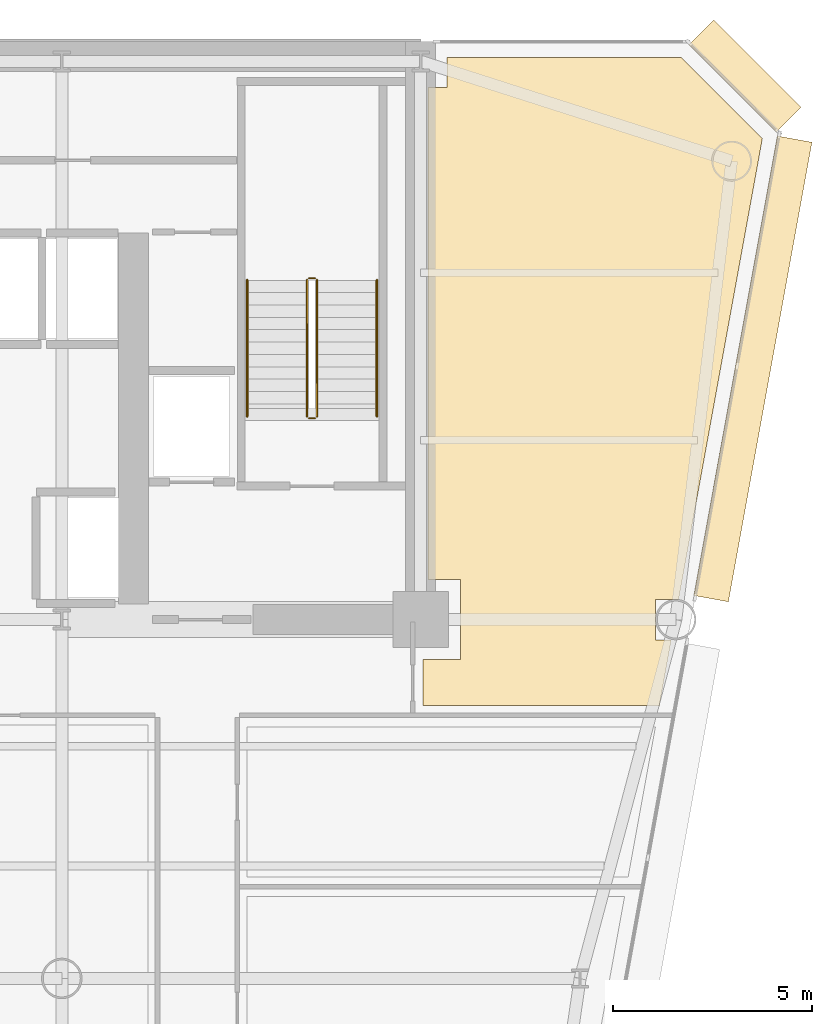
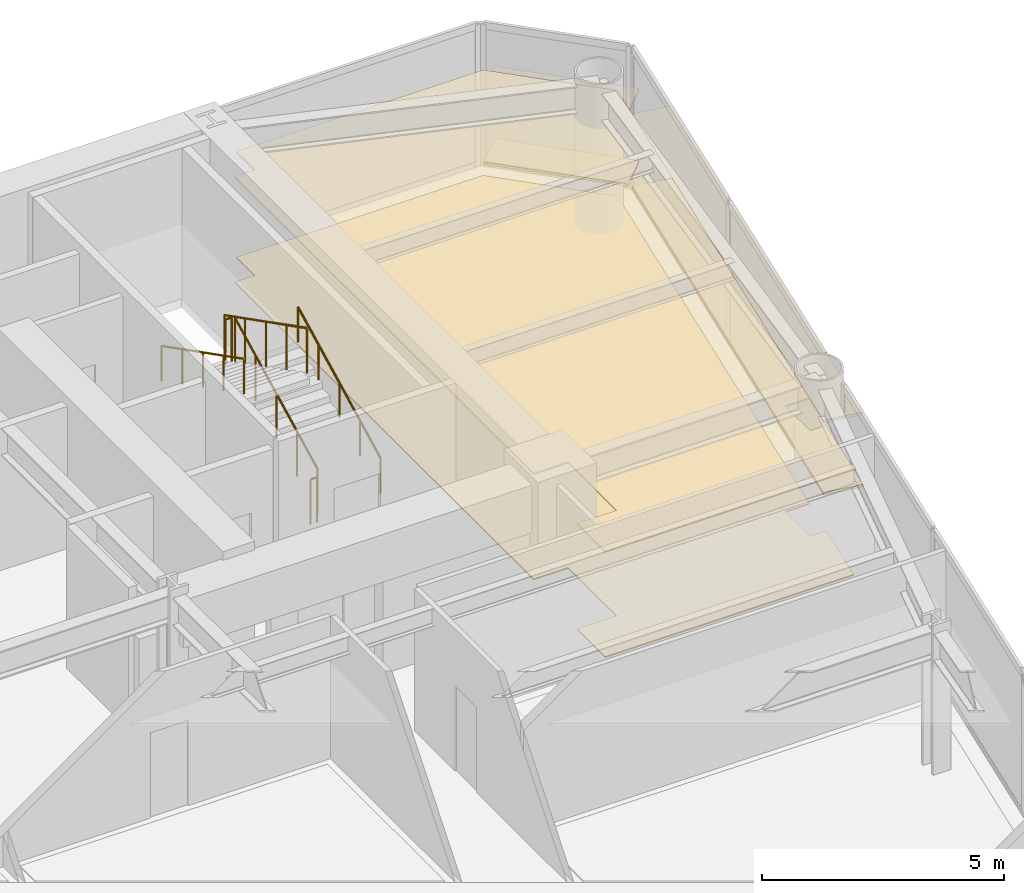
# One storey, part 14 of 14: 6 coverings, 6 railings.
"""IFC4 building model written with IfcOpenShell, lengths in metres."""

import ifcopenshell
import ifcopenshell.guid

model = None  # the IFC model being written
_history = None  # IfcOwnerHistory: only IFC2X3 demands one
_inside = {}  # id of a spatial element -> (the spatial element, [elements in it])
_under = {}  # id of a project, library or spatial element -> (it, [spatial elements below it])
_declared = {}  # id of a project -> (the project, [libraries it declares])
_typed = {}  # id of a type object -> (the type object, [elements of that type])
_made_of = {}  # id of a material, layer set ... -> (it, [elements and type objects made of it])


def new_model(schema):
    """Start an empty IFC model of exactly this schema.

    Asked for "IFC4X3", IfcOpenShell would pick the latest addendum, in which some entities
    have other attributes; the version numbers below select the first issue.
    IFC2X3 requires an IfcOwnerHistory on every rooted entity: one is made here for all.
    """
    global model, _history
    if schema == "IFC4X3":
        model = ifcopenshell.file(schema_version=(4, 3, 0, 0))
    else:
        model = ifcopenshell.file(schema=schema)
    _inside.clear()
    _under.clear()
    _declared.clear()
    _typed.clear()
    _made_of.clear()
    _history = None
    if model.schema == "IFC2X3":
        org = make("IfcOrganization", Name="unknown")
        user = make(
            "IfcPersonAndOrganization",
            ThePerson=make("IfcPerson", FamilyName="unknown"),
            TheOrganization=org,
        )
        app = make(
            "IfcApplication",
            ApplicationDeveloper=org,
            Version="unknown",
            ApplicationFullName="unknown",
            ApplicationIdentifier="unknown",
        )
        _history = make(
            "IfcOwnerHistory",
            OwningUser=user,
            OwningApplication=app,
            ChangeAction="ADDED",
            CreationDate=0,
        )
    return model


def make(cls, **values):
    """One entity of the class cls with the attributes given. An attribute that is None is left unset."""
    return model.create_entity(
        cls, **{name: value for name, value in values.items() if value is not None}
    )


def rooted(cls, **values):
    """An entity with a GlobalId (a new one), such as an element, a storey or a relation."""
    return make(cls, GlobalId=ifcopenshell.guid.new(), OwnerHistory=_history, **values)


def si_unit(unit_type, name, prefix=None):
    """IfcSIUnit, for example si_unit("LENGTHUNIT", "METRE", prefix="MILLI")."""
    return make("IfcSIUnit", UnitType=unit_type, Prefix=prefix, Name=name)


def assignment(units):
    """IfcUnitAssignment: the units of a project."""
    return None if units is None else make("IfcUnitAssignment", Units=units)


def point(xyz):
    """IfcCartesianPoint."""
    return None if xyz is None else make("IfcCartesianPoint", Coordinates=xyz)


def direction(xyz):
    """IfcDirection."""
    return None if xyz is None else make("IfcDirection", DirectionRatios=xyz)


def frame(location, z_axis=None, x_axis=None):
    """IfcAxis2Placement3D, a coordinate frame: its origin and axes. An axis left out is left unset."""
    return make(
        "IfcAxis2Placement3D",
        Location=point(location),
        Axis=direction(z_axis),
        RefDirection=direction(x_axis),
    )


def frame_2d(location, x_axis=None):
    """IfcAxis2Placement2D, a coordinate frame in the plane: its origin and x axis."""
    return make(
        "IfcAxis2Placement2D", Location=point(location), RefDirection=direction(x_axis)
    )


def origin():
    """The frame at (0, 0, 0) with its axes left unset."""
    return frame((0.0, 0.0, 0.0))


def origin_2d():
    """The frame at (0, 0) in the plane with its x axis left unset."""
    return frame_2d((0.0, 0.0))


def place(relative_to, where):
    """IfcLocalPlacement: puts the frame where relative to a parent placement (None: the world)."""
    return make(
        "IfcLocalPlacement", PlacementRelTo=relative_to, RelativePlacement=where
    )


def context(
    kind, dimensions, precision=None, world=None, true_north=None, identifier=None
):
    """IfcGeometricRepresentationContext, for example the 3D "Model" context."""
    return make(
        "IfcGeometricRepresentationContext",
        ContextIdentifier=identifier,
        ContextType=kind,
        CoordinateSpaceDimension=dimensions,
        Precision=precision,
        WorldCoordinateSystem=world,
        TrueNorth=true_north,
    )


def subcontext(parent, identifier, kind, view, scale=None):
    """IfcGeometricRepresentationSubContext, for example "Body" below "Model"."""
    return make(
        "IfcGeometricRepresentationSubContext",
        ContextIdentifier=identifier,
        ContextType=kind,
        ParentContext=parent,
        TargetScale=scale,
        TargetView=view,
    )


def project(units=None, contexts=None):
    """IfcProject with its units and contexts."""
    return rooted(
        "IfcProject",
        Name="project",
        RepresentationContexts=contexts,
        UnitsInContext=assignment(units),
    )


def spatial(cls, under=None, at=None, **own):
    """A site, building, storey or space (cls), placed at a placement, below another one or the project."""
    s = rooted(cls, ObjectPlacement=at, **own)
    if under is not None:
        _under.setdefault(under.id(), (under, []))[1].append(s)
    return s


def polyline(points):
    """IfcPolyline through the points."""
    return make("IfcPolyline", Points=[point(p) for p in points])


def profile(cls, at=None, kind="AREA", **sizes):
    """A parametric profile (cls). Its sizes go by their IFC names, for example OverallWidth=200.0."""
    return make(cls, ProfileType=kind, Position=at, **sizes)


def rectangle(**sizes):
    """IfcRectangleProfileDef."""
    return profile("IfcRectangleProfileDef", **sizes)


def circle(**sizes):
    """IfcCircleProfileDef."""
    return profile("IfcCircleProfileDef", **sizes)


def outline(outer, holes=None, kind="AREA"):
    """IfcArbitraryClosedProfileDef: a profile drawn as a closed curve; with holes, ...WithVoids."""
    if holes is None:
        return make("IfcArbitraryClosedProfileDef", ProfileType=kind, OuterCurve=outer)
    return make(
        "IfcArbitraryProfileDefWithVoids",
        ProfileType=kind,
        OuterCurve=outer,
        InnerCurves=holes,
    )


def extrude(swept, where, along, depth):
    """IfcExtrudedAreaSolid: the profile swept, set in the frame where, extruded along a direction by depth."""
    return make(
        "IfcExtrudedAreaSolid",
        SweptArea=swept,
        Position=where,
        ExtrudedDirection=direction(along),
        Depth=depth,
    )


def shape(context_of_items, identifier, shape_type, items):
    """IfcShapeRepresentation: the items that make up one representation, for example the "Body"."""
    return make(
        "IfcShapeRepresentation",
        ContextOfItems=context_of_items,
        RepresentationIdentifier=identifier,
        RepresentationType=shape_type,
        Items=items,
    )


def source(mapping_origin, context_of_items, identifier, shape_type, items):
    """IfcRepresentationMap: a shape defined once, which mapped items show again and again."""
    return make(
        "IfcRepresentationMap",
        MappingOrigin=mapping_origin,
        MappedRepresentation=shape(context_of_items, identifier, shape_type, items),
    )


def transform(
    local_origin,
    x_axis=None,
    y_axis=None,
    z_axis=None,
    scale=None,
    scale2=None,
    scale3=None,
    uniform=True,
):
    """IfcCartesianTransformationOperator3D, or its non-uniform kind. x_axis, y_axis, z_axis: its Axis1, 2, 3."""
    if uniform:
        return make(
            "IfcCartesianTransformationOperator3D",
            Axis1=direction(x_axis),
            Axis2=direction(y_axis),
            LocalOrigin=point(local_origin),
            Scale=scale,
            Axis3=direction(z_axis),
        )
    return make(
        "IfcCartesianTransformationOperator3DnonUniform",
        Axis1=direction(x_axis),
        Axis2=direction(y_axis),
        LocalOrigin=point(local_origin),
        Scale=scale,
        Axis3=direction(z_axis),
        Scale2=scale2,
        Scale3=scale3,
    )


def mapped(mapping_source, mapping_target):
    """IfcMappedItem: shows the shape of a source again, moved by a transform."""
    return make(
        "IfcMappedItem", MappingSource=mapping_source, MappingTarget=mapping_target
    )


def material(Name=None, Category=None):
    """IfcMaterial."""
    return make("IfcMaterial", Name=Name, Category=Category)


def layer(
    of_material, thickness, ventilated=None, Name=None, Category=None, Priority=None
):
    """IfcMaterialLayer: one layer of a wall or slab, of a material (None: an air gap)."""
    return make(
        "IfcMaterialLayer",
        Material=of_material,
        LayerThickness=thickness,
        IsVentilated=ventilated,
        Name=Name,
        Category=Category,
        Priority=Priority,
    )


def layer_set(layers, Name=None):
    """IfcMaterialLayerSet."""
    return make("IfcMaterialLayerSet", MaterialLayers=layers, LayerSetName=Name)


def made_of(thing, what):
    """Note that an element or type object is made of a material, layer set ...; save() writes the relation."""
    if what is not None:
        _made_of.setdefault(what.id(), (what, []))[1].append(thing)
    return thing


def type_object(cls, material=None, **own):
    """A type object (cls), such as IfcWallType, which elements share."""
    return made_of(rooted(cls, **own), material)


def element(
    cls,
    number,
    at=None,
    inside=None,
    cuts=None,
    type_object=None,
    material=None,
    context=None,
    identifier="Body",
    shape_type=None,
    held_by="IfcProductDefinitionShape",
    body=None,
    shapes=None,
    **own,
):
    """One element of the class cls, such as IfcWall. Its Tag is "e" and its number.

    at: its placement. inside: the storey or other place that contains it. cuts: it is an
    opening in that element (IfcRelVoidsElement). A single representation is given by context,
    identifier, shape_type and body (its items); several are given by shapes. held_by: the class
    of the entity that holds the representations. save() writes the other relations.
    """
    e = rooted(cls, Tag="e%d" % number, ObjectPlacement=at, **own)
    if body is not None:
        shapes = [shape(context, identifier, shape_type, body)]
    if shapes is not None:
        e.Representation = make(held_by, Representations=shapes)
    if inside is not None:
        _inside.setdefault(inside.id(), (inside, []))[1].append(e)
    if cuts is not None:
        rooted(
            "IfcRelVoidsElement", RelatingBuildingElement=cuts, RelatedOpeningElement=e
        )
    if type_object is not None:
        _typed.setdefault(type_object.id(), (type_object, []))[1].append(e)
    return made_of(e, material)


def aggregate(whole, parts):
    """IfcRelAggregates: a whole, such as a stair, and the parts it consists of."""
    return rooted("IfcRelAggregates", RelatingObject=whole, RelatedObjects=parts)


def save(model, path):
    """Write the relations noted so far, then the file.

    IfcRelAggregates (storeys below a building ...), IfcRelContainedInSpatialStructure (elements
    in a storey), IfcRelDefinesByType, IfcRelAssociatesMaterial and IfcRelDeclares: one each for
    every whole, place, type object, material and project.
    """
    for whole, parts in _under.values():
        aggregate(whole, parts)
    for where, things in _inside.values():
        rooted(
            "IfcRelContainedInSpatialStructure",
            RelatedElements=things,
            RelatingStructure=where,
        )
    for kind, things in _typed.values():
        rooted("IfcRelDefinesByType", RelatedObjects=things, RelatingType=kind)
    for what, things in _made_of.values():
        rooted("IfcRelAssociatesMaterial", RelatedObjects=things, RelatingMaterial=what)
    for by, libraries in _declared.values():
        rooted("IfcRelDeclares", RelatingContext=by, RelatedDefinitions=libraries)
    model.write(path)


model = new_model("IFC4")

# Units and contexts
model_context = context("Model", 3, precision=1e-05, world=origin(), true_north=direction((0.0, 1.0)))
body_context = subcontext(model_context, "Body", "Model", "MODEL_VIEW")
ifc_project = project(units=[si_unit("LENGTHUNIT", "METRE"), si_unit("AREAUNIT", "SQUARE_METRE"), si_unit("VOLUMEUNIT", "CUBIC_METRE"), si_unit("PLANEANGLEUNIT", "RADIAN"), si_unit("MASSUNIT", "GRAM", prefix="KILO")], contexts=[model_context])

# Site, building, storey
site_placement = place(None, origin())
site = spatial("IfcSite", under=ifc_project, at=site_placement, CompositionType="ELEMENT")
building_placement = place(site_placement, origin())
building = spatial("IfcBuilding", under=site, at=building_placement, Name="Vaeldorn Concourse Tower", CompositionType="ELEMENT")
storey_placement = place(building_placement, frame((0.0, 0.0, 130.0)))
storey = spatial("IfcBuildingStorey", under=building, at=storey_placement, Name="L33", CompositionType="ELEMENT", Elevation=130.0)

# Coverings
ifc_material_1 = material(Name="Acoustic Mineral Fibre Board", Category="gypsum")
ifc_layer_1 = layer(ifc_material_1, 0.0400390625)
ifc_layer_set_1 = layer_set([ifc_layer_1], Name="Acoustic Mineral Fibre Board")
covering_type_1 = type_object("IfcCoveringType", Name="COV-CEIL-ACOUSTIC", PredefinedType="CEILING", material=ifc_layer_set_1)
covering_1_placement = place(storey_placement, frame((0.0, 0.0, 2.64990234375)))
element("IfcCovering", 1, at=covering_1_placement, inside=storey, type_object=covering_type_1, Name="Suspended Acoustic Ceiling L33-4", PredefinedType="CEILING", context=body_context, shape_type="SweptSolid", body=[
    extrude(outline(polyline([(54.179931640625, 49.840087890625), (54.659912109375, 49.840087890625), (54.659912109375, 50.60009765625), (60.5341796875, 50.60009765625), (62.56884765625, 48.565185546875), (60.525634765625, 37.320068359375), (60.525634765625, 37.320068359375), (60.468994140625, 37.008056640625), (59.89208984375, 37.008056640625), (59.89208984375, 35.991943359375), (60.2841796875, 35.991943359375), (59.984375, 34.340087890625), (54.06005859375, 34.340087890625), (54.06005859375, 35.5), (55.0, 35.5), (55.0, 37.5), (54.179931640625, 37.5), (54.179931640625, 49.840087890625)])), origin(), (0.0, 0.0, 1.0), 0.0400390625),
])
ifc_material_2 = material(Name="Honed Limestone Terrazzo Flooring", Category="masonry")
ifc_layer_2 = layer(ifc_material_2, 0.0400390625)
ifc_layer_set_2 = layer_set([ifc_layer_2], Name="Honed Limestone Terrazzo Flooring")
covering_type_2 = type_object("IfcCoveringType", Name="COV-FLOOR-STONE", PredefinedType="FLOORING", material=ifc_layer_set_2)
covering_2_placement = place(storey_placement, origin())
element("IfcCovering", 2, at=covering_2_placement, inside=storey, type_object=covering_type_2, Name="Floor Finish Covering L33-4", PredefinedType="FLOORING", context=body_context, shape_type="SweptSolid", body=[
    extrude(outline(polyline([(54.179931640625, 49.840087890625), (54.659912109375, 49.840087890625), (54.659912109375, 50.60009765625), (60.5341796875, 50.60009765625), (62.56884765625, 48.565185546875), (60.525634765625, 37.320068359375), (60.525634765625, 37.320068359375), (60.468994140625, 37.008056640625), (59.89208984375, 37.008056640625), (59.89208984375, 35.991943359375), (60.2841796875, 35.991943359375), (59.984375, 34.340087890625), (54.06005859375, 34.340087890625), (54.06005859375, 35.5), (55.0, 35.5), (55.0, 37.5), (54.179931640625, 37.5), (54.179931640625, 49.840087890625)])), origin(), (0.0, 0.0, 1.0), 0.030029296875),
])

# Railings
ifc_material_3 = material(Name="Anodised Bronze Aluminium", Category="aluminium")
railing_type_1 = type_object("IfcRailingType", Name="RL-STAIR-GUARD", PredefinedType="GUARDRAIL", material=ifc_material_3)
railing_1_placement = place(storey_placement, frame((51.39990234375, 41.60009765625, 0.158447265625)))
element("IfcRailing", 3, at=railing_1_placement, inside=storey, type_object=railing_type_1, Name="L33 ST-2 stair guard 1", PredefinedType="GUARDRAIL", context=body_context, shape_type="SweptSolid", body=[
    extrude(circle(Radius=0.02392578125, at=origin_2d()), frame((0.0, 0.0, 1.1259765625), z_axis=(0.0, 0.890581635807, 0.454823427236), x_axis=(-1.0, 0.0, 0.0)), (0.0, 0.0, 1.0), 3.828857421875),
    extrude(circle(Radius=0.02099609375, at=origin_2d()), origin(), (0.0, 0.0, 1.0), 1.101806640625),
    extrude(circle(Radius=0.02099609375, at=origin_2d()), frame((0.0, 0.8525390625, 0.435302734375)), (0.0, 0.0, 1.0), 1.101806640625),
    extrude(circle(Radius=0.02099609375, at=origin_2d()), frame((0.0, 1.705078125, 0.87060546875)), (0.0, 0.0, 1.0), 1.101806640625),
    extrude(circle(Radius=0.02099609375, at=origin_2d()), frame((0.0, 2.557373046875, 1.30615234375)), (0.0, 0.0, 1.0), 1.101806640625),
    extrude(circle(Radius=0.02099609375, at=origin_2d()), frame((0.0, 3.409912109375, 1.741455078125)), (0.0, 0.0, 1.0), 1.101806640625),
])
railing_2_placement = place(storey_placement, frame((51.35009765625, 45.06005859375, 1.89990234375)))
element("IfcRailing", 4, at=railing_2_placement, inside=storey, type_object=railing_type_1, Name="L33 ST-2 stair guard 2", PredefinedType="GUARDRAIL", context=body_context, shape_type="SweptSolid", body=[
    extrude(circle(Radius=0.02392578125, at=origin_2d()), frame((0.0, 0.0, 1.1259765625), z_axis=(-1.0, 0.0, 0.0), x_axis=(0.0, -1.0, 0.0)), (0.0, 0.0, 1.0), 0.150146484375),
    extrude(circle(Radius=0.02099609375, at=origin_2d()), origin(), (0.0, 0.0, 1.0), 1.101806640625),
    extrude(circle(Radius=0.02099609375, at=origin_2d()), frame((-0.150146484375, 0.0, 0.0)), (0.0, 0.0, 1.0), 1.101806640625),
])
railing_3_placement = place(storey_placement, frame((51.14990234375, 45.010009765625, 2.058349609375)))
element("IfcRailing", 5, at=railing_3_placement, inside=storey, type_object=railing_type_1, Name="L33 ST-2 stair guard 3", PredefinedType="GUARDRAIL", context=body_context, shape_type="SweptSolid", body=[
    extrude(circle(Radius=0.02392578125, at=origin_2d()), frame((0.0, 0.0, 1.1259765625), z_axis=(0.0, -0.890555807335, 0.454873997962), x_axis=(1.0, 0.0, 0.0)), (0.0, 0.0, 1.0), 3.828857421875),
    extrude(circle(Radius=0.02099609375, at=origin_2d()), origin(), (0.0, 0.0, 1.0), 1.101806640625),
    extrude(circle(Radius=0.02099609375, at=origin_2d()), frame((0.0, -0.8525390625, 0.435546875)), (0.0, 0.0, 1.0), 1.101806640625),
    extrude(circle(Radius=0.02099609375, at=origin_2d()), frame((0.0, -1.705078125, 0.870849609375)), (0.0, 0.0, 1.0), 1.101806640625),
    extrude(circle(Radius=0.02099609375, at=origin_2d()), frame((0.0, -2.557373046875, 1.30615234375)), (0.0, 0.0, 1.0), 1.101806640625),
    extrude(circle(Radius=0.02099609375, at=origin_2d()), frame((0.0, -3.409912109375, 1.74169921875)), (0.0, 0.0, 1.0), 1.101806640625),
])
railing_4_placement = place(storey_placement, frame((51.35009765625, 41.550048828125, 0.0)))
element("IfcRailing", 6, at=railing_4_placement, inside=storey, type_object=railing_type_1, Name="L33 ST-2 stair guard 4", PredefinedType="GUARDRAIL", context=body_context, shape_type="SweptSolid", body=[
    extrude(circle(Radius=0.02392578125, at=origin_2d()), frame((0.0, 0.0, 1.1259765625), z_axis=(-1.0, 0.0, 0.0), x_axis=(0.0, -1.0, 0.0)), (0.0, 0.0, 1.0), 0.150146484375),
    extrude(circle(Radius=0.02099609375, at=origin_2d()), origin(), (0.0, 0.0, 1.0), 1.101806640625),
    extrude(circle(Radius=0.02099609375, at=origin_2d()), frame((-0.150146484375, 0.0, 0.0)), (0.0, 0.0, 1.0), 1.101806640625),
])
railing_type_2 = type_object("IfcRailingType", Name="RL-STAIR-HANDRAIL", PredefinedType="HANDRAIL", material=ifc_material_3)
railing_5_placement = place(storey_placement, frame((52.89990234375, 41.60009765625, 0.158447265625)))
element("IfcRailing", 7, at=railing_5_placement, inside=storey, type_object=railing_type_2, Name="L33 ST-2 stair handrail 1", PredefinedType="HANDRAIL", context=body_context, shape_type="SweptSolid", body=[
    extrude(circle(Radius=0.02392578125, at=origin_2d()), frame((0.0, 0.0, 0.8759765625), z_axis=(0.0, 0.890581635807, 0.454823427236), x_axis=(-1.0, 0.0, 0.0)), (0.0, 0.0, 1.0), 3.828857421875),
    extrude(circle(Radius=0.02099609375, at=origin_2d()), origin(), (0.0, 0.0, 1.0), 0.851806640625),
    extrude(circle(Radius=0.02099609375, at=origin_2d()), frame((0.0, 0.8525390625, 0.435302734375)), (0.0, 0.0, 1.0), 0.851806640625),
    extrude(circle(Radius=0.02099609375, at=origin_2d()), frame((0.0, 1.705078125, 0.87060546875)), (0.0, 0.0, 1.0), 0.851806640625),
    extrude(circle(Radius=0.02099609375, at=origin_2d()), frame((0.0, 2.557373046875, 1.30615234375)), (0.0, 0.0, 1.0), 0.851806640625),
    extrude(circle(Radius=0.02099609375, at=origin_2d()), frame((0.0, 3.409912109375, 1.741455078125)), (0.0, 0.0, 1.0), 0.851806640625),
])
railing_6_placement = place(storey_placement, frame((49.64990234375, 45.010009765625, 2.058349609375)))
element("IfcRailing", 8, at=railing_6_placement, inside=storey, type_object=railing_type_2, Name="L33 ST-2 stair handrail 2", PredefinedType="HANDRAIL", context=body_context, shape_type="SweptSolid", body=[
    extrude(circle(Radius=0.02392578125, at=origin_2d()), frame((0.0, 0.0, 0.8759765625), z_axis=(0.0, -0.890555807335, 0.454873997962), x_axis=(1.0, 0.0, 0.0)), (0.0, 0.0, 1.0), 3.828857421875),
    extrude(circle(Radius=0.02099609375, at=origin_2d()), origin(), (0.0, 0.0, 1.0), 0.851806640625),
    extrude(circle(Radius=0.02099609375, at=origin_2d()), frame((0.0, -0.8525390625, 0.435546875)), (0.0, 0.0, 1.0), 0.851806640625),
    extrude(circle(Radius=0.02099609375, at=origin_2d()), frame((0.0, -1.705078125, 0.870849609375)), (0.0, 0.0, 1.0), 0.851806640625),
    extrude(circle(Radius=0.02099609375, at=origin_2d()), frame((0.0, -2.557373046875, 1.30615234375)), (0.0, 0.0, 1.0), 0.851806640625),
    extrude(circle(Radius=0.02099609375, at=origin_2d()), frame((0.0, -3.409912109375, 1.74169921875)), (0.0, 0.0, 1.0), 0.851806640625),
])

# Coverings
ifc_layer_3 = layer(ifc_material_3, 0.06494140625)
ifc_layer_set_3 = layer_set([ifc_layer_3], Name="Anodised Bronze Aluminium")
covering_type_3 = type_object("IfcCoveringType", Name="SD-BRONZE-SUNSHADE", PredefinedType="USERDEFINED", material=ifc_layer_set_3)
shared_shape_1 = source(origin(), body_context, "Body", "SweptSolid", [
    extrude(rectangle(XDim=3.0927734375, YDim=0.8798828125, at=origin_2d()), origin(), (0.0, 0.0, 1.0), 0.06494140625),
])
for number, where, z_axis, x_axis, name in (
    (9, (62.1328125, 50.1328125, 0.047607421875), (0.0, 0.0, 1.0), (-0.707106781187, 0.707106781187, 0.0), "Horizontal Bronze Sunshade L33-E08.1.1"),
    (10, (62.1328125, 50.1328125, 1.867431640625), (0.0, 0.0, 1.0), (-0.707106781187, 0.707106781187, 0.0), "Horizontal Bronze Sunshade L33-E08.1.2"),
):
    element("IfcCovering", number, at=place(storey_placement, frame(where, z_axis=z_axis, x_axis=x_axis)), inside=storey, type_object=covering_type_3, Name=name, ObjectType="SUNSHADE", PredefinedType="USERDEFINED", context=body_context, shape_type="MappedRepresentation", body=[
        mapped(shared_shape_1, transform((0.0, 0.0, 0.0), scale=1.0)),
    ])
shared_shape_2 = source(origin(), body_context, "Body", "SweptSolid", [
    extrude(rectangle(XDim=11.71337890625, YDim=0.8798828125, at=origin_2d()), origin(), (0.0, 0.0, 1.0), 0.06494140625),
])
for number, where, z_axis, x_axis, name in (
    (11, (62.332275390625, 42.78759765625, 0.047607421875), (0.0, 0.0, 1.0), (0.178767870941, 0.983891278709, 0.0), "Horizontal Bronze Sunshade L33-E07.2.1"),
    (12, (62.332275390625, 42.78759765625, 1.867431640625), (0.0, 0.0, 1.0), (0.178767870941, 0.983891278709, 0.0), "Horizontal Bronze Sunshade L33-E07.2.2"),
):
    element("IfcCovering", number, at=place(storey_placement, frame(where, z_axis=z_axis, x_axis=x_axis)), inside=storey, type_object=covering_type_3, Name=name, ObjectType="SUNSHADE", PredefinedType="USERDEFINED", context=body_context, shape_type="MappedRepresentation", body=[
        mapped(shared_shape_2, transform((0.0, 0.0, 0.0), scale=1.0)),
    ])

save(model, "model.ifc")
